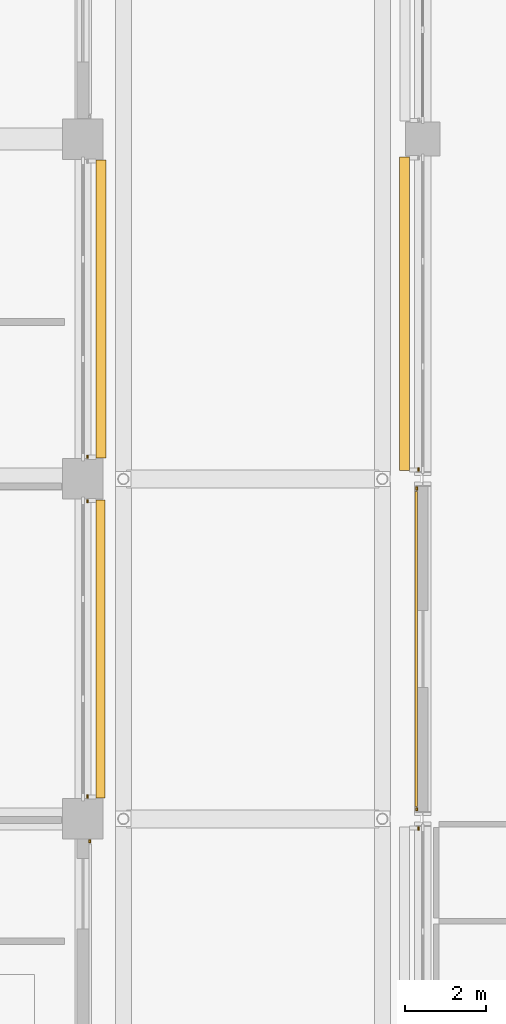
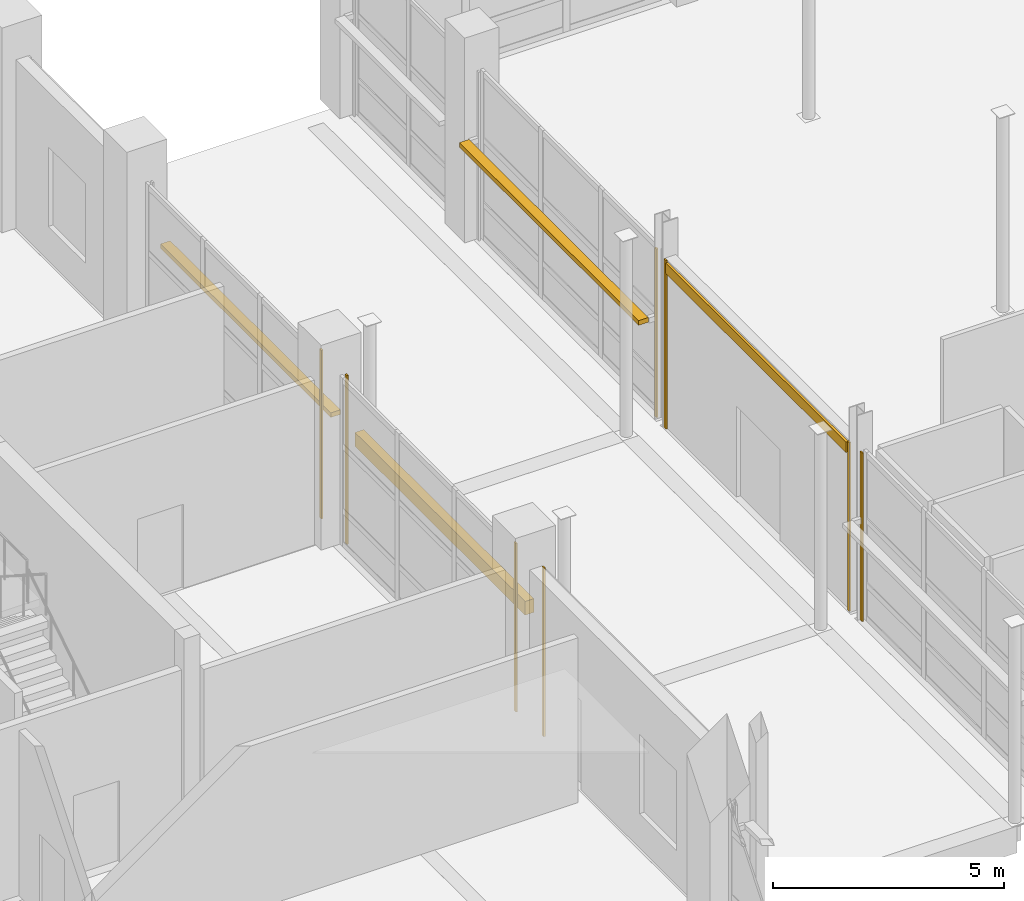
# One storey, part 119 of 140: 9 coverings, 3 shading devices.
"""IFC4 building model written with IfcOpenShell, lengths in metres."""

from ifc_helpers import new_model, si_unit, direction, frame, origin, origin_2d, place, context, subcontext, project, spatial, rectangle, extrude, material, layer, layer_set, type_object, element, save


model = new_model("IFC4")

# Units and contexts
model_context = context("Model", 3, precision=1e-05, world=origin(), true_north=direction((0.0, 1.0)))
body_context = subcontext(model_context, "Body", "Model", "MODEL_VIEW")
ifc_project = project(units=[si_unit("LENGTHUNIT", "METRE"), si_unit("AREAUNIT", "SQUARE_METRE"), si_unit("VOLUMEUNIT", "CUBIC_METRE"), si_unit("PLANEANGLEUNIT", "RADIAN"), si_unit("MASSUNIT", "GRAM", prefix="KILO")], contexts=[model_context])

# Site, building, storey
site_placement = place(None, origin())
site = spatial("IfcSite", under=ifc_project, at=site_placement, CompositionType="ELEMENT")
building_placement = place(site_placement, origin())
building = spatial("IfcBuilding", under=site, at=building_placement, Name="Telukmera Botanical Conservatory", CompositionType="ELEMENT")
storey_placement = place(building_placement, origin())
storey = spatial("IfcBuildingStorey", under=building, at=storey_placement, Name="L00", CompositionType="ELEMENT", Elevation=0.0)

# Coverings
ifc_material_1 = material(Name="Granite-faced precast concrete C40/50", Category="masonry")
ifc_layer_1 = layer(ifc_material_1, 0.0400390625)
ifc_layer_set_1 = layer_set([ifc_layer_1], Name="Granite-faced precast concrete C40/50")
covering_type_1 = type_object("IfcCoveringType", Name="Granite Precast Column Pier Reveal Casing", PredefinedType="CLADDING", material=ifc_layer_set_1)
for number, where, z_axis, x_axis, name in (
    (1, (117.489990234375, 25.763916015625, 0.0), (0.0, 0.0, 1.0), (0.0, 1.0, 0.0), "Granite Pier Reveal V1:L00:W1 R"),
    (2, (117.449951171875, 26.236083984375, 0.0), (0.0, 0.0, 1.0), (0.0, 1.0, 0.0), "Granite Pier Reveal V1:L00:W2 L"),
    (3, (117.449951171875, 34.163818359375, 0.0), (0.0, 0.0, 1.0), (0.0, 1.0, 0.0), "Granite Pier Reveal V1:L00:W2 R"),
    (4, (117.489990234375, 34.635986328125, 0.0), (0.0, 0.0, 1.0), (0.0, 1.0, 0.0), "Granite Pier Reveal V1:L00:W3 L"),
    (5, (109.3701171875, 25.447998046875, 0.0), (0.0, 0.0, 1.0), (0.0, 1.0, 0.0), "Granite Pier Reveal V4:L00:E2 R"),
    (6, (109.31005859375, 26.552001953125, 0.0), (0.0, 0.0, 1.0), (0.0, 1.0, 0.0), "Granite Pier Reveal V4:L00:E3 L"),
    (7, (109.31005859375, 33.847900390625, 0.0), (0.0, 0.0, 1.0), (0.0, 1.0, 0.0), "Granite Pier Reveal V4:L00:E3 R"),
    (8, (109.31005859375, 34.951904296875, 0.0), (0.0, 0.0, 1.0), (0.0, 1.0, 0.0), "Granite Pier Reveal V4:L00:E4 L"),
):
    element("IfcCovering", number, at=place(storey_placement, frame(where, z_axis=z_axis, x_axis=x_axis)), inside=storey, type_object=covering_type_1, Name=name, PredefinedType="CLADDING", context=body_context, shape_type="SweptSolid", body=[
        extrude(rectangle(XDim=0.080078125, YDim=0.0400390625, at=origin_2d()), origin(), (0.0, 0.0, 1.0), 4.449951171875),
    ])

# Shading devices
ifc_material_2 = material(Name="Perforated terracotta-anodised aluminium 6063-T6", Category="masonry")
ifc_layer_2 = layer(ifc_material_2, 0.050048828125)
ifc_layer_set_2 = layer_set([ifc_layer_2], Name="Perforated terracotta-anodised aluminium 6063-T6")
shading_device_type_1 = type_object("IfcShadingDeviceType", Name="Operable Monsoon Solar Louvre Shutter Bank", PredefinedType="SHUTTER", material=ifc_layer_set_2)
shading_device_1_placement = place(storey_placement, frame((109.639892578125, 30.199951171875, 2.4697265625), z_axis=(0.0, 0.0, 1.0), x_axis=(0.0, 1.0, 0.0)))
element("IfcShadingDevice", 9, at=shading_device_1_placement, inside=storey, type_object=shading_device_type_1, Name="Monsoon Shading SH01 V4:L00:E3", PredefinedType="SHUTTER", context=body_context, shape_type="SweptSolid", body=[
    extrude(rectangle(XDim=7.35595703125, YDim=0.219970703125, at=origin_2d()), origin(), (0.0, 0.0, 1.0), 0.360107421875),
])
ifc_layer_3 = layer(ifc_material_2, 0.044921875)
ifc_layer_set_3 = layer_set([ifc_layer_3], Name="Perforated terracotta-anodised aluminium 6063-T6")
shading_device_type_2 = type_object("IfcShadingDeviceType", Name="Perforated Terracotta Aluminium Monsoon Brise Soleil", PredefinedType="JALOUSIE", material=ifc_layer_set_3)
shading_device_2_placement = place(storey_placement, frame((117.14990234375, 38.4794921875, 2.58984375), z_axis=(0.0, 0.0, 1.0), x_axis=(0.0, 1.0, 0.0)))
element("IfcShadingDevice", 10, at=shading_device_2_placement, inside=storey, type_object=shading_device_type_2, Name="Monsoon Shading BS01 V1:L00:W3", PredefinedType="JALOUSIE", context=body_context, shape_type="SweptSolid", body=[
    extrude(rectangle(XDim=7.746826171875, YDim=0.239990234375, at=origin_2d()), origin(), (0.0, 0.0, 1.0), 0.1201171875),
])
shading_device_3_placement = place(storey_placement, frame((109.64990234375, 38.60009765625, 2.58984375), z_axis=(0.0, 0.0, 1.0), x_axis=(0.0, 1.0, 0.0)))
element("IfcShadingDevice", 11, at=shading_device_3_placement, inside=storey, type_object=shading_device_type_2, Name="Monsoon Shading BS01 V4:L00:E4", PredefinedType="JALOUSIE", context=body_context, shape_type="SweptSolid", body=[
    extrude(rectangle(XDim=7.35595703125, YDim=0.239990234375, at=origin_2d()), origin(), (0.0, 0.0, 1.0), 0.1201171875),
])

# Covering
ifc_material_3 = material(Name="Terracotta-faced precast concrete C40/50", Category="masonry")
ifc_layer_4 = layer(ifc_material_3, 0.06005859375)
ifc_layer_set_4 = layer_set([ifc_layer_4], Name="Terracotta-faced precast concrete C40/50")
covering_type_2 = type_object("IfcCoveringType", Name="Polychrome Terracotta Facade Band Cladding", PredefinedType="CLADDING", material=ifc_layer_set_4)
covering_placement = place(storey_placement, frame((117.43994140625, 30.199951171875, 4.1298828125), z_axis=(0.0, 0.0, 1.0), x_axis=(0.0, 1.0, 0.0)))
element("IfcCovering", 12, at=covering_placement, inside=storey, type_object=covering_type_2, Name="Polychrome Terracotta Band V1:L00:W2", PredefinedType="CLADDING", context=body_context, shape_type="SweptSolid", body=[
    extrude(rectangle(XDim=7.787841796875, YDim=0.06005859375, at=origin_2d()), origin(), (0.0, 0.0, 1.0), 0.280029296875),
])

save(model, "model.ifc")
